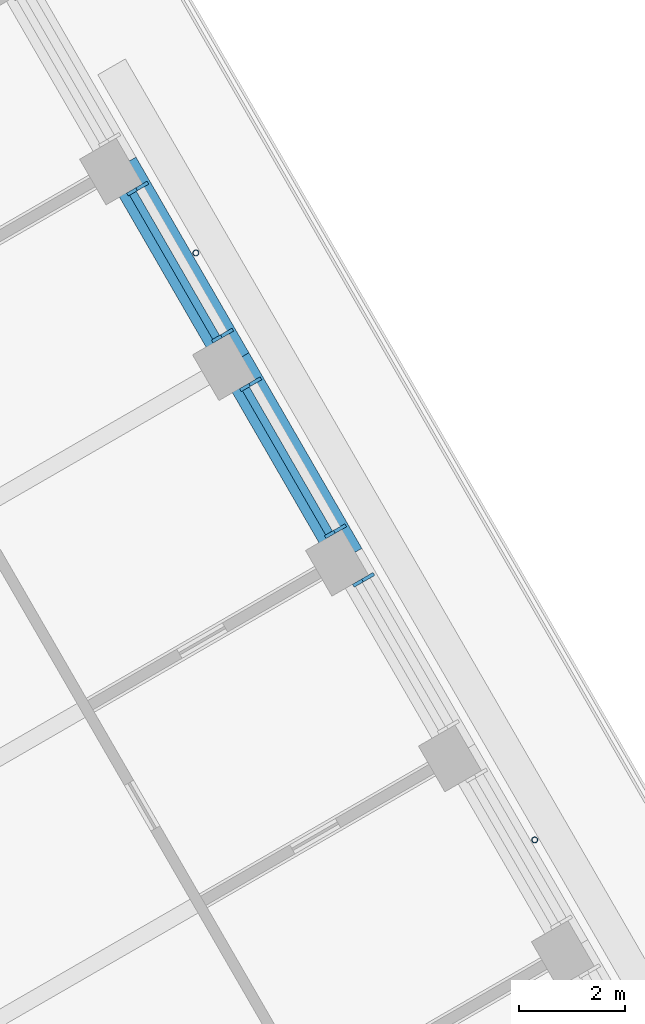
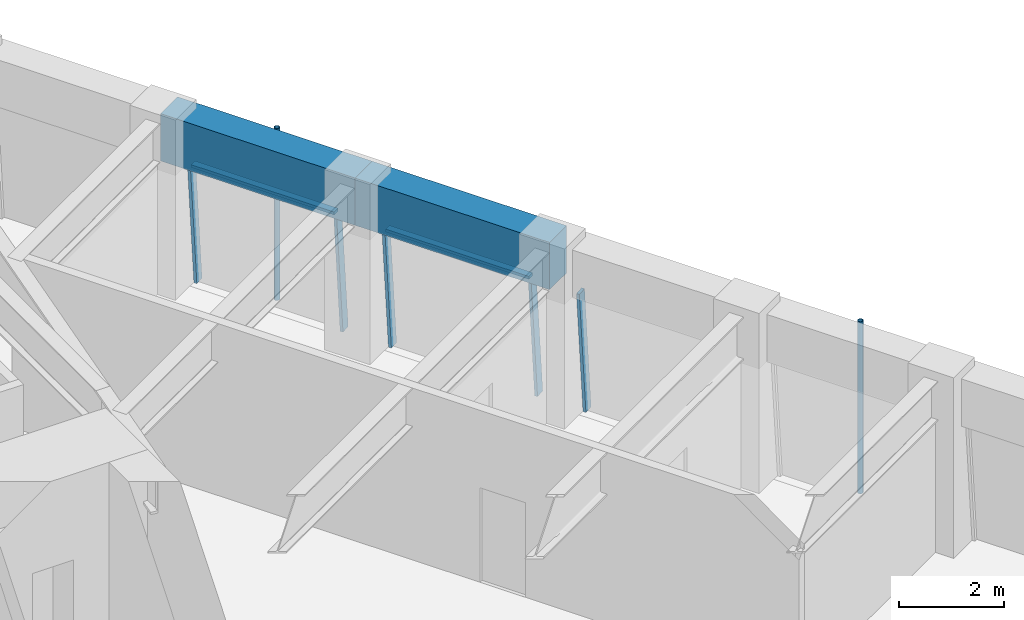
# One storey, part 10 of 19: 9 members, 2 beams, 3 elements without a shape of their own.
"""IFC4 building model written with IfcOpenShell, lengths in metres."""

from ifc_helpers import new_model, si_unit, direction, frame, origin, origin_2d, place, context, subcontext, project, spatial, rectangle, hollow_circle, extrude, material, material_profile, profile_set, type_object, element, aggregate, save


model = new_model("IFC4")

# Units and contexts
model_context = context("Model", 3, precision=1e-05, world=origin(), true_north=direction((0.0, 1.0)))
body_context = subcontext(model_context, "Body", "Model", "MODEL_VIEW")
ifc_project = project(units=[si_unit("LENGTHUNIT", "METRE"), si_unit("AREAUNIT", "SQUARE_METRE"), si_unit("VOLUMEUNIT", "CUBIC_METRE"), si_unit("PLANEANGLEUNIT", "RADIAN"), si_unit("MASSUNIT", "GRAM", prefix="KILO")], contexts=[model_context])

# Site, building, storey
site_placement = place(None, origin())
site = spatial("IfcSite", under=ifc_project, at=site_placement, CompositionType="ELEMENT")
building_placement = place(site_placement, origin())
building = spatial("IfcBuilding", under=site, at=building_placement, Name="Tarfa Lantern Tower", CompositionType="ELEMENT")
storey_placement = place(building_placement, frame((0.0, 0.0, 349.300048828125)))
storey = spatial("IfcBuildingStorey", under=building, at=storey_placement, Name="L79", CompositionType="ELEMENT", Elevation=349.300048828125)

# Curtain wall, member
ifc_material_1 = material(Name="Aluminium framed curtain wall", Category="aluminium")
curtain_wall_type = type_object("IfcCurtainWallType", Name="CW4 CANTED GLAZING EXECUTIVE ZONE 2900", PredefinedType="USERDEFINED", material=ifc_material_1)
curtain_wall_1_placement = place(storey_placement, origin())
curtain_wall_1 = element("IfcCurtainWall", 1, at=curtain_wall_1_placement, inside=storey, type_object=curtain_wall_type, Name="CW4 NE L79", ObjectType="CURTAIN WALL", PredefinedType="USERDEFINED")
ifc_material_2 = material(Name="Aluminium mullion", Category="aluminium")
ifc_material_profile_1 = material_profile(ifc_material_2, rectangle(XDim=0.06494140625, YDim=0.199951171875, at=origin_2d()), Name="AL MULLION 65x200")
ifc_profile_set_1 = profile_set([ifc_material_profile_1], Name="Aluminium mullion")
member_type_1 = type_object("IfcMemberType", Name="CWM1 MULLION 65x200", PredefinedType="MULLION", material=ifc_profile_set_1)
member_1_placement = place(storey_placement, frame((23.345947265625, 12.86376953125, 0.0), z_axis=(-0.074399820079, -0.042945555672, 0.996303340364), x_axis=(0.499919672301, -0.866071776036, 0.0)))
member_1 = element("IfcMember", 2, at=member_1_placement, type_object=member_type_1, Name="CW4 mullion 2", PredefinedType="MULLION", context=body_context, shape_type="SweptSolid", body=[
    extrude(rectangle(XDim=0.06494140625, YDim=0.199951171875, at=origin_2d()), origin(), (0.0, 0.0, 1.0), 2.91064453125),
])
aggregate(curtain_wall_1, [member_1])

# Curtain wall, members
curtain_wall_2_placement = place(storey_placement, origin())
curtain_wall_2 = element("IfcCurtainWall", 3, at=curtain_wall_2_placement, inside=storey, type_object=curtain_wall_type, Name="CW4 NE L79", ObjectType="CURTAIN WALL", PredefinedType="USERDEFINED")
member_2_placement = place(storey_placement, frame((22.813232421875, 13.7861328125, 0.0), z_axis=(-0.074316405553, -0.042945823525, 0.996309554359), x_axis=(0.500342721131, -0.865827443207, 0.0)))
member_2 = element("IfcMember", 4, at=member_2_placement, type_object=member_type_1, Name="CW4 mullion 1", PredefinedType="MULLION", context=body_context, shape_type="SweptSolid", body=[
    extrude(rectangle(XDim=0.06494140625, YDim=0.199951171875, at=origin_2d()), origin(), (0.0, 0.0, 1.0), 2.91064453125),
])
member_3_placement = place(storey_placement, frame((21.204833984375, 16.572265625, 0.0), z_axis=(-0.074399820079, -0.042945555672, 0.996303340364), x_axis=(0.499919672301, -0.866071776036, 0.0)))
member_3 = element("IfcMember", 5, at=member_3_placement, type_object=member_type_1, Name="CW4 mullion 2", PredefinedType="MULLION", context=body_context, shape_type="SweptSolid", body=[
    extrude(rectangle(XDim=0.06494140625, YDim=0.199951171875, at=origin_2d()), origin(), (0.0, 0.0, 1.0), 2.91064453125),
])

curtain_wall_3_placement = place(storey_placement, origin())
curtain_wall_3 = element("IfcCurtainWall", 6, at=curtain_wall_3_placement, inside=storey, type_object=curtain_wall_type, Name="CW4 NE L79", ObjectType="CURTAIN WALL", PredefinedType="USERDEFINED")
member_4_placement = place(storey_placement, frame((20.67236328125, 17.494384765625, 0.0), z_axis=(-0.074399820079, -0.042945555672, 0.996303340364), x_axis=(0.499919672301, -0.866071776036, 0.0)))
member_4 = element("IfcMember", 7, at=member_4_placement, type_object=member_type_1, Name="CW4 mullion 1", PredefinedType="MULLION", context=body_context, shape_type="SweptSolid", body=[
    extrude(rectangle(XDim=0.06494140625, YDim=0.199951171875, at=origin_2d()), origin(), (0.0, 0.0, 1.0), 2.91064453125),
])
member_5_placement = place(storey_placement, frame((19.063720703125, 20.280517578125, 0.0), z_axis=(-0.074316405553, -0.042945823525, 0.996309554359), x_axis=(0.500342721131, -0.865827443207, 0.0)))
member_5 = element("IfcMember", 8, at=member_5_placement, type_object=member_type_1, Name="CW4 mullion 2", PredefinedType="MULLION", context=body_context, shape_type="SweptSolid", body=[
    extrude(rectangle(XDim=0.06494140625, YDim=0.199951171875, at=origin_2d()), origin(), (0.0, 0.0, 1.0), 2.91064453125),
])

# Member
ifc_material_3 = material(Name="Aluminium transom", Category="aluminium")
ifc_material_profile_2 = material_profile(ifc_material_3, rectangle(XDim=0.14990234375, YDim=0.06494140625, at=origin_2d()), Name="AL TRANSOM 150x65")
ifc_profile_set_2 = profile_set([ifc_material_profile_2], Name="Aluminium transom")
member_type_2 = type_object("IfcMemberType", Name="CWT1 TRANSOM 150x65", PredefinedType="USERDEFINED", material=ifc_profile_set_2)
member_6_placement = place(storey_placement, frame((22.5830078125, 13.690673828125, 2.867431640625), z_axis=(-0.499979472441, 0.866037255052, 0.0), x_axis=(-0.866037255052, -0.499979472441, 0.0)))
member_6 = element("IfcMember", 9, at=member_6_placement, type_object=member_type_2, Name="CW4 transom 1.2", ObjectType="TRANSOM", PredefinedType="USERDEFINED", context=body_context, shape_type="SweptSolid", body=[
    extrude(rectangle(XDim=0.14990234375, YDim=0.06494140625, at=origin_2d()), origin(), (0.0, 0.0, 1.0), 3.152099609375),
])

aggregate(curtain_wall_2, [member_2, member_3, member_6])

member_7_placement = place(storey_placement, frame((20.44189453125, 17.39892578125, 2.867431640625), z_axis=(-0.499979472441, 0.866037255052, 0.0), x_axis=(-0.866037255052, -0.499979472441, 0.0)))
member_7 = element("IfcMember", 10, at=member_7_placement, type_object=member_type_2, Name="CW4 transom 1.2", ObjectType="TRANSOM", PredefinedType="USERDEFINED", context=body_context, shape_type="SweptSolid", body=[
    extrude(rectangle(XDim=0.14990234375, YDim=0.06494140625, at=origin_2d()), origin(), (0.0, 0.0, 1.0), 3.152099609375),
])

aggregate(curtain_wall_3, [member_4, member_5, member_7])

# Beams
ifc_material_4 = material(Name="Concrete C80/95", Category="concrete")
ifc_material_profile_3 = material_profile(ifc_material_4, rectangle(XDim=0.64990234375, YDim=1.10009765625, at=origin_2d()), Name="RC 650x1100")
ifc_profile_set_3 = profile_set([ifc_material_profile_3], Name="Concrete C80/95")
beam_type = type_object("IfcBeamType", Name="EB4 RC 650x1100", PredefinedType="SPANDREL", material=ifc_profile_set_3)
for number, where, z_axis, x_axis, name in (
    (11, (22.923583984375, 13.235107421875, 3.449951171875), (-0.499984039138, 0.866034618596, 0.0), (-0.866034618596, -0.499984039138, 0.0), "Edge beam NE3"),
    (12, (20.78271484375, 16.943359375, 3.449951171875), (-0.500026801138, 0.866009929587, 0.0), (-0.866009929587, -0.500026801138, 0.0), "Edge beam NE4"),
):
    element("IfcBeam", number, at=place(storey_placement, frame(where, z_axis=z_axis, x_axis=x_axis)), inside=storey, type_object=beam_type, Name=name, PredefinedType="SPANDREL", context=body_context, shape_type="SweptSolid", body=[
        extrude(rectangle(XDim=0.64990234375, YDim=1.10009765625, at=origin_2d()), origin(), (0.0, 0.0, 1.0), 4.281982421875),
    ])

# Members
ifc_material_5 = material(Name="Steel S355", Category="steel")
ifc_material_profile_4 = material_profile(ifc_material_5, hollow_circle(Radius=0.05712890625, WallThickness=0.00634765625, at=origin_2d()), Name="CHS114.3x6.3")
ifc_profile_set_4 = profile_set([ifc_material_profile_4], Name="Steel S355")
member_type_3 = type_object("IfcMemberType", Name="TR1 GREEN WALL TRELLIS CHS114.3x6.3", PredefinedType="USERDEFINED", material=ifc_profile_set_4)
for number, where, z_axis, x_axis, name in (
    (13, (26.481689453125, 7.87255859375, 0.0), (0.0, 0.0, 1.0), (1.0, 0.0, 0.0), "Trellis post NE 1"),
    (14, (20.05859375, 18.99755859375, 0.0), (0.0, 0.0, 1.0), (1.0, 0.0, 0.0), "Trellis post NE 2"),
):
    element("IfcMember", number, at=place(storey_placement, frame(where, z_axis=z_axis, x_axis=x_axis)), inside=storey, type_object=member_type_3, Name=name, ObjectType="TRELLIS", PredefinedType="USERDEFINED", context=body_context, shape_type="SweptSolid", body=[
        extrude(hollow_circle(Radius=0.05712890625, WallThickness=0.00634765625, at=origin_2d()), origin(), (0.0, 0.0, 1.0), 4.0),
    ])

save(model, "model.ifc")
